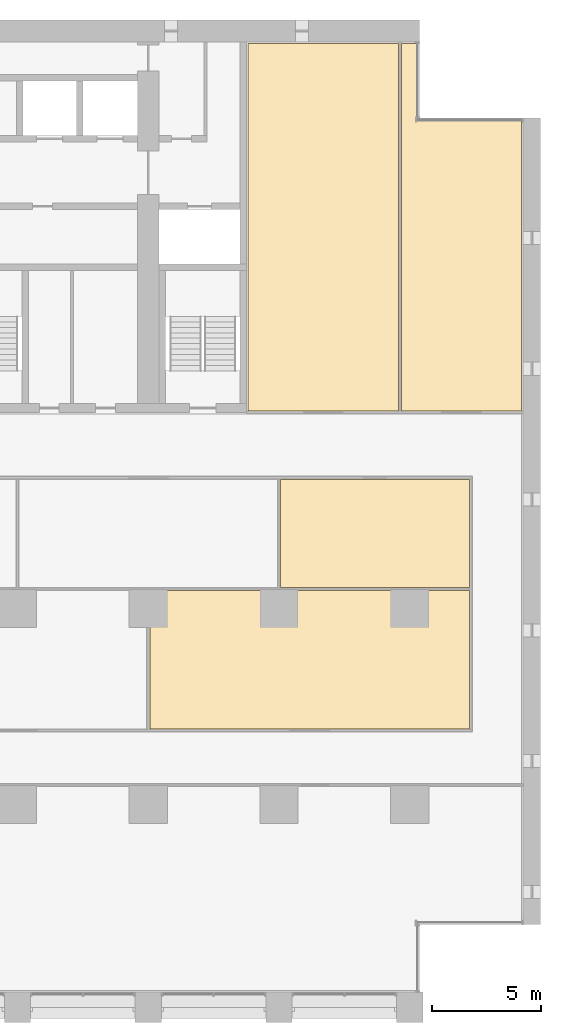
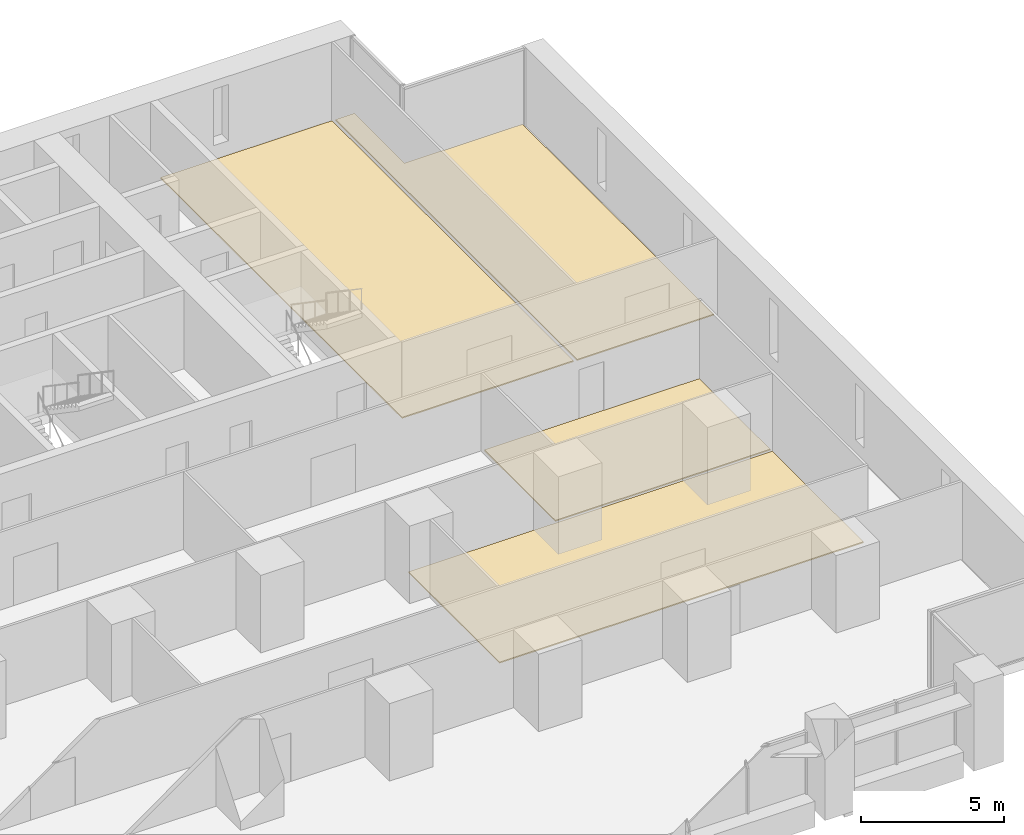
# One storey, part 18 of 18: 4 coverings.
"""IFC4 building model written with IfcOpenShell, lengths in metres."""

from ifc_helpers import new_model, si_unit, direction, frame, origin, place, context, subcontext, project, spatial, polyline, outline, extrude, material, layer, layer_set, type_object, element, save


model = new_model("IFC4")

# Units and contexts
model_context = context("Model", 3, precision=1e-05, world=origin(), true_north=direction((0.0, 1.0)))
body_context = subcontext(model_context, "Body", "Model", "MODEL_VIEW")
ifc_project = project(units=[si_unit("LENGTHUNIT", "METRE"), si_unit("AREAUNIT", "SQUARE_METRE"), si_unit("VOLUMEUNIT", "CUBIC_METRE"), si_unit("PLANEANGLEUNIT", "RADIAN"), si_unit("MASSUNIT", "GRAM", prefix="KILO")], contexts=[model_context])

# Site, building, storey
site_placement = place(None, origin())
site = spatial("IfcSite", under=ifc_project, at=site_placement, CompositionType="ELEMENT")
building_placement = place(site_placement, origin())
building = spatial("IfcBuilding", under=site, at=building_placement, Name="Calvaro Tower", CompositionType="ELEMENT")
storey_placement = place(building_placement, frame((0.0, 0.0, 41.25)))
storey = spatial("IfcBuildingStorey", under=building, at=storey_placement, Name="L09", CompositionType="ELEMENT", Elevation=41.25)

# Coverings
ifc_material = material(Name="Cement screed with carpet tile finish")
ifc_layer = layer(ifc_material, 0.050048828125)
ifc_layer_set = layer_set([ifc_layer], Name="Cement screed with carpet tile finish")
covering_type = type_object("IfcCoveringType", Name="Floor finish 50", PredefinedType="FLOORING", material=ifc_layer_set)
covering_1_placement = place(storey_placement, origin())
element("IfcCovering", 1, at=covering_1_placement, inside=storey, type_object=covering_type, Name="Floor finish 09.05", PredefinedType="FLOORING", context=body_context, shape_type="SweptSolid", body=[
    extrude(outline(polyline([(60.070068359375, 13.469970703125), (60.070068359375, 19.830078125), (74.72998046875, 19.830078125), (74.72998046875, 13.469970703125), (60.070068359375, 13.469970703125)])), origin(), (0.0, 0.0, 1.0), 0.050048828125),
])
covering_2_placement = place(storey_placement, origin())
element("IfcCovering", 2, at=covering_2_placement, inside=storey, type_object=covering_type, Name="Floor finish 09.11", PredefinedType="FLOORING", context=body_context, shape_type="SweptSolid", body=[
    extrude(outline(polyline([(66.070068359375, 19.969970703125), (66.070068359375, 24.929931640625), (74.72998046875, 24.929931640625), (74.72998046875, 19.969970703125), (66.070068359375, 19.969970703125)])), origin(), (0.0, 0.0, 1.0), 0.050048828125),
])
covering_3_placement = place(storey_placement, origin())
element("IfcCovering", 3, at=covering_3_placement, inside=storey, type_object=covering_type, Name="Floor finish 09.19", PredefinedType="FLOORING", context=body_context, shape_type="SweptSolid", body=[
    extrude(outline(polyline([(71.47998046875, 28.070068359375), (64.570068359375, 28.070068359375), (64.570068359375, 44.929931640625), (71.47998046875, 44.929931640625), (71.47998046875, 28.070068359375)])), origin(), (0.0, 0.0, 1.0), 0.050048828125),
])
covering_4_placement = place(storey_placement, origin())
element("IfcCovering", 4, at=covering_4_placement, inside=storey, type_object=covering_type, Name="Floor finish 09.17", PredefinedType="FLOORING", context=body_context, shape_type="SweptSolid", body=[
    extrude(outline(polyline([(77.1298828125, 28.070068359375), (71.6201171875, 28.070068359375), (71.6201171875, 44.929931640625), (72.3798828125, 44.929931640625), (72.3798828125, 41.429931640625), (77.1298828125, 41.429931640625), (77.1298828125, 28.070068359375)])), origin(), (0.0, 0.0, 1.0), 0.050048828125),
])

save(model, "model.ifc")
